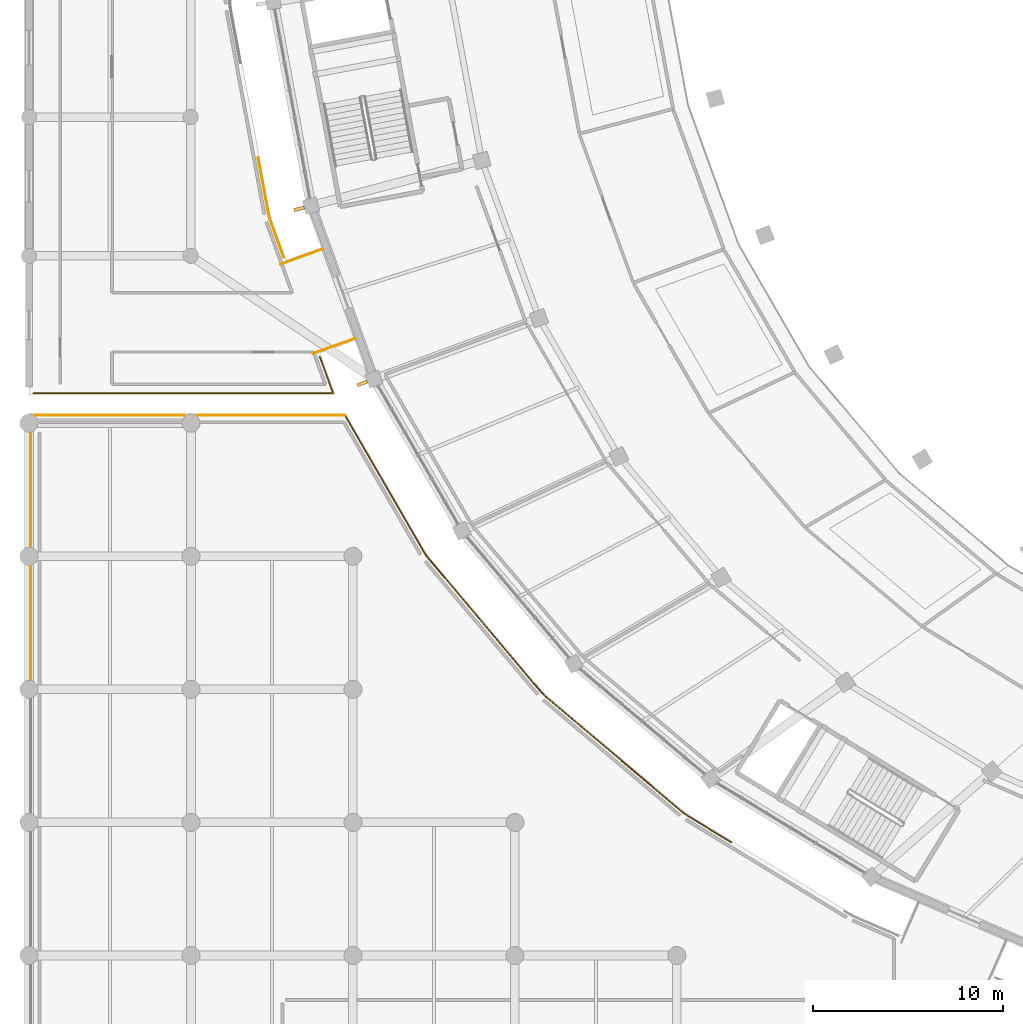
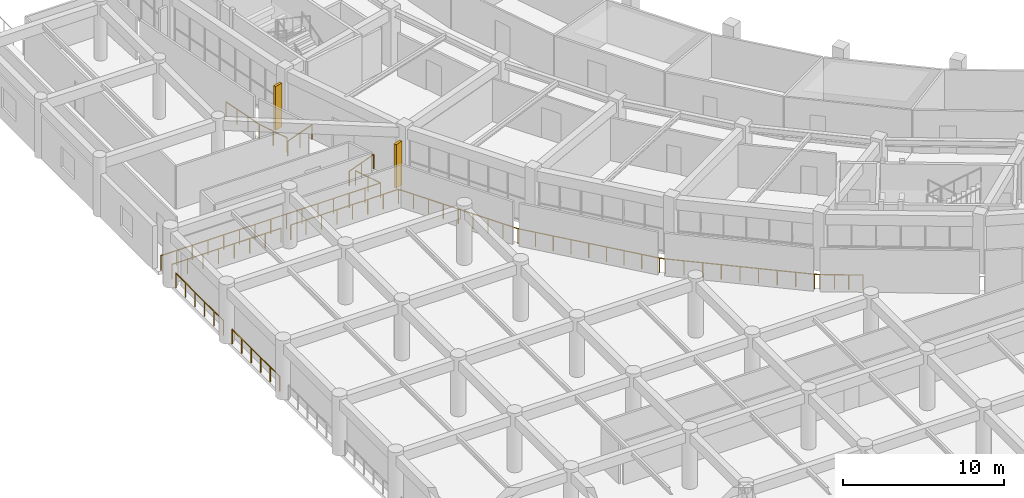
# One storey, part 115 of 141: 9 railings, 2 shading devices.
"""IFC4 building model written with IfcOpenShell, lengths in metres."""

from ifc_helpers import new_model, si_unit, direction, frame, origin, origin_2d, place, context, subcontext, project, spatial, rectangle, circle, extrude, material, type_object, element, save


model = new_model("IFC4")

# Units and contexts
model_context = context("Model", 3, precision=1e-05, world=origin(), true_north=direction((0.0, 1.0)))
body_context = subcontext(model_context, "Body", "Model", "MODEL_VIEW")
ifc_project = project(units=[si_unit("LENGTHUNIT", "METRE"), si_unit("AREAUNIT", "SQUARE_METRE"), si_unit("VOLUMEUNIT", "CUBIC_METRE"), si_unit("PLANEANGLEUNIT", "RADIAN"), si_unit("MASSUNIT", "GRAM", prefix="KILO")], contexts=[model_context])

# Site, building, storey
site_placement = place(None, origin())
site = spatial("IfcSite", under=ifc_project, at=site_placement, CompositionType="ELEMENT")
building_placement = place(site_placement, origin())
building = spatial("IfcBuilding", under=site, at=building_placement, Name="Mphavela Belvedere Stadium", CompositionType="ELEMENT")
storey_placement = place(building_placement, frame((0.0, 0.0, 14.699951171875)))
storey = spatial("IfcBuildingStorey", under=building, at=storey_placement, Name="L03", CompositionType="ELEMENT", Elevation=14.699951171875)

# Railings
ifc_material_1 = material(Name="Bronze and laminated glass stadium balustrade", Category="glass")
railing_type = type_object("IfcRailingType", Name="RAL-BALUSTRADE-1120", PredefinedType="BALUSTRADE", material=ifc_material_1)
railing_1_placement = place(storey_placement, frame((15.44921875, 58.159423828125, 0.0)))
element("IfcRailing", 1, at=railing_1_placement, inside=storey, type_object=railing_type, Name="Colonnade link bridge balustrade L03-27A", PredefinedType="BALUSTRADE", context=body_context, shape_type="SweptSolid", body=[
    extrude(circle(Radius=0.02392578125, at=origin_2d()), frame((0.0, 0.0, 1.09619140625), z_axis=(-0.940078218368, -0.340958858734, 0.0), x_axis=(0.340958858734, -0.940078218368, 0.0)), (0.0, 0.0, 1.0), 2.35009765625),
    extrude(circle(Radius=0.02099609375, at=origin_2d()), origin(), (0.0, 0.0, 1.0), 1.072021484375),
    extrude(circle(Radius=0.02099609375, at=origin_2d()), frame((-1.1044921875, -0.400634765625, 0.0)), (0.0, 0.0, 1.0), 1.072021484375),
    extrude(circle(Radius=0.02099609375, at=origin_2d()), frame((-2.209228515625, -0.80126953125, 0.0)), (0.0, 0.0, 1.0), 1.072021484375),
])
railing_2_placement = place(storey_placement, frame((17.154296875, 53.459228515625, 0.0)))
element("IfcRailing", 2, at=railing_2_placement, inside=storey, type_object=railing_type, Name="Colonnade link bridge balustrade L03-27B", PredefinedType="BALUSTRADE", context=body_context, shape_type="SweptSolid", body=[
    extrude(circle(Radius=0.02392578125, at=origin_2d()), frame((0.0, 0.0, 1.09619140625), z_axis=(-0.940044916205, -0.341050664151, 0.0), x_axis=(0.341050664151, -0.940044916205, 0.0)), (0.0, 0.0, 1.0), 2.35009765625),
    extrude(circle(Radius=0.02099609375, at=origin_2d()), origin(), (0.0, 0.0, 1.0), 1.072021484375),
    extrude(circle(Radius=0.02099609375, at=origin_2d()), frame((-1.1044921875, -0.40087890625, 0.0)), (0.0, 0.0, 1.0), 1.072021484375),
    extrude(circle(Radius=0.02099609375, at=origin_2d()), frame((-2.209228515625, -0.801513671875, 0.0)), (0.0, 0.0, 1.0), 1.072021484375),
])
railing_3_placement = place(storey_placement, frame((16.607421875, 49.419921875, 0.0)))
element("IfcRailing", 3, at=railing_3_placement, inside=storey, type_object=railing_type, Name="Peristyle wing gallery edge balustrade L03-01", PredefinedType="BALUSTRADE", context=body_context, shape_type="SweptSolid", body=[
    extrude(circle(Radius=0.02392578125, at=origin_2d()), frame((0.0, 0.0, 1.09619140625), z_axis=(0.501496666229, -0.86515957705, 0.0), x_axis=(0.86515957705, 0.501496666229, 0.0)), (0.0, 0.0, 1.0), 8.548095703125),
    extrude(circle(Radius=0.02392578125, at=origin_2d()), frame((4.286865234375, -7.3955078125, 1.09619140625), z_axis=(0.644472492073, -0.764627495557, 0.0), x_axis=(0.764627495557, 0.644472492073, 0.0)), (0.0, 0.0, 1.0), 9.352783203125),
    extrude(circle(Radius=0.02392578125, at=origin_2d()), frame((10.314453125, -14.546875, 1.09619140625), z_axis=(0.707747566275, -0.706465414887, 0.0), x_axis=(0.706465414887, 0.707747566275, 0.0)), (0.0, 0.0, 1.0), 0.380859375),
    extrude(circle(Radius=0.02392578125, at=origin_2d()), frame((10.583984375, -14.81591796875, 1.09619140625), z_axis=(0.764260284561, -0.644907913924, 0.0), x_axis=(0.644907913924, 0.764260284561, 0.0)), (0.0, 0.0, 1.0), 9.4013671875),
    extrude(circle(Radius=0.02392578125, at=origin_2d()), frame((17.76904296875, -20.87890625, 1.09619140625), z_axis=(0.81202574752, -0.583621611462, 0.0), x_axis=(0.583621611462, 0.81202574752, 0.0)), (0.0, 0.0, 1.0), 0.348388671875),
    extrude(circle(Radius=0.02392578125, at=origin_2d()), frame((18.052001953125, -21.082275390625, 1.09619140625), z_axis=(0.854337692863, -0.519718295381, 0.0), x_axis=(0.519718295381, 0.854337692863, 0.0)), (0.0, 0.0, 1.0), 2.67626953125),
    extrude(circle(Radius=0.02099609375, at=origin_2d()), origin(), (0.0, 0.0, 1.0), 1.072021484375),
    extrude(circle(Radius=0.02099609375, at=origin_2d()), frame((0.535888671875, -0.92431640625, 0.0)), (0.0, 0.0, 1.0), 1.072021484375),
    extrude(circle(Radius=0.02099609375, at=origin_2d()), frame((1.07177734375, -1.848876953125, 0.0)), (0.0, 0.0, 1.0), 1.072021484375),
    extrude(circle(Radius=0.02099609375, at=origin_2d()), frame((1.607666015625, -2.7734375, 0.0)), (0.0, 0.0, 1.0), 1.072021484375),
    extrude(circle(Radius=0.02099609375, at=origin_2d()), frame((2.1435546875, -3.69775390625, 0.0)), (0.0, 0.0, 1.0), 1.072021484375),
    extrude(circle(Radius=0.02099609375, at=origin_2d()), frame((2.67919921875, -4.6220703125, 0.0)), (0.0, 0.0, 1.0), 1.072021484375),
    extrude(circle(Radius=0.02099609375, at=origin_2d()), frame((3.215087890625, -5.546630859375, 0.0)), (0.0, 0.0, 1.0), 1.072021484375),
    extrude(circle(Radius=0.02099609375, at=origin_2d()), frame((3.7509765625, -6.47119140625, 0.0)), (0.0, 0.0, 1.0), 1.072021484375),
    extrude(circle(Radius=0.02099609375, at=origin_2d()), frame((4.286865234375, -7.3955078125, 0.0)), (0.0, 0.0, 1.0), 1.072021484375),
    extrude(circle(Radius=0.02099609375, at=origin_2d()), frame((5.040283203125, -8.28955078125, 0.0)), (0.0, 0.0, 1.0), 1.072021484375),
    extrude(circle(Radius=0.02099609375, at=origin_2d()), frame((5.793701171875, -9.183349609375, 0.0)), (0.0, 0.0, 1.0), 1.072021484375),
    extrude(circle(Radius=0.02099609375, at=origin_2d()), frame((6.547119140625, -10.0771484375, 0.0)), (0.0, 0.0, 1.0), 1.072021484375),
    extrude(circle(Radius=0.02099609375, at=origin_2d()), frame((7.30078125, -10.97119140625, 0.0)), (0.0, 0.0, 1.0), 1.072021484375),
    extrude(circle(Radius=0.02099609375, at=origin_2d()), frame((8.05419921875, -11.865234375, 0.0)), (0.0, 0.0, 1.0), 1.072021484375),
    extrude(circle(Radius=0.02099609375, at=origin_2d()), frame((8.8076171875, -12.759033203125, 0.0)), (0.0, 0.0, 1.0), 1.072021484375),
    extrude(circle(Radius=0.02099609375, at=origin_2d()), frame((9.56103515625, -13.65283203125, 0.0)), (0.0, 0.0, 1.0), 1.072021484375),
    extrude(circle(Radius=0.02099609375, at=origin_2d()), frame((10.314453125, -14.546875, 0.0)), (0.0, 0.0, 1.0), 1.072021484375),
    extrude(circle(Radius=0.02099609375, at=origin_2d()), frame((10.583984375, -14.81591796875, 0.0)), (0.0, 0.0, 1.0), 1.072021484375),
    extrude(circle(Radius=0.02099609375, at=origin_2d()), frame((11.482177734375, -15.57373046875, 0.0)), (0.0, 0.0, 1.0), 1.072021484375),
    extrude(circle(Radius=0.02099609375, at=origin_2d()), frame((12.38037109375, -16.33154296875, 0.0)), (0.0, 0.0, 1.0), 1.072021484375),
    extrude(circle(Radius=0.02099609375, at=origin_2d()), frame((13.2783203125, -17.089599609375, 0.0)), (0.0, 0.0, 1.0), 1.072021484375),
    extrude(circle(Radius=0.02099609375, at=origin_2d()), frame((14.176513671875, -17.847412109375, 0.0)), (0.0, 0.0, 1.0), 1.072021484375),
    extrude(circle(Radius=0.02099609375, at=origin_2d()), frame((15.07470703125, -18.605224609375, 0.0)), (0.0, 0.0, 1.0), 1.072021484375),
    extrude(circle(Radius=0.02099609375, at=origin_2d()), frame((15.97265625, -19.36328125, 0.0)), (0.0, 0.0, 1.0), 1.072021484375),
    extrude(circle(Radius=0.02099609375, at=origin_2d()), frame((16.870849609375, -20.12109375, 0.0)), (0.0, 0.0, 1.0), 1.072021484375),
    extrude(circle(Radius=0.02099609375, at=origin_2d()), frame((17.76904296875, -20.87890625, 0.0)), (0.0, 0.0, 1.0), 1.072021484375),
    extrude(circle(Radius=0.02099609375, at=origin_2d()), frame((18.052001953125, -21.082275390625, 0.0)), (0.0, 0.0, 1.0), 1.072021484375),
    extrude(circle(Radius=0.02099609375, at=origin_2d()), frame((18.814208984375, -21.5458984375, 0.0)), (0.0, 0.0, 1.0), 1.072021484375),
    extrude(circle(Radius=0.02099609375, at=origin_2d()), frame((19.576171875, -22.009521484375, 0.0)), (0.0, 0.0, 1.0), 1.072021484375),
    extrude(circle(Radius=0.02099609375, at=origin_2d()), frame((20.33837890625, -22.47314453125, 0.0)), (0.0, 0.0, 1.0), 1.072021484375),
])
for number, where, name in (
    (4, (0.080078125, 35.54345703125, 0.0), "Peristyle wing gallery edge balustrade L03-21"),
    (5, (0.080078125, 42.54345703125, 0.0), "Peristyle wing gallery edge balustrade L03-22"),
):
    element("IfcRailing", number, at=place(storey_placement, frame(where)), inside=storey, type_object=railing_type, Name=name, PredefinedType="BALUSTRADE", context=body_context, shape_type="SweptSolid", body=[
        extrude(circle(Radius=0.02392578125, at=origin_2d()), frame((0.0, 0.0, 1.09619140625), z_axis=(0.0, 1.0, 0.0), x_axis=(-1.0, 0.0, 0.0)), (0.0, 0.0, 1.0), 5.9130859375),
        extrude(circle(Radius=0.02099609375, at=origin_2d()), origin(), (0.0, 0.0, 1.0), 1.072021484375),
        extrude(circle(Radius=0.02099609375, at=origin_2d()), frame((0.0, 1.1826171875, 0.0)), (0.0, 0.0, 1.0), 1.072021484375),
        extrude(circle(Radius=0.02099609375, at=origin_2d()), frame((0.0, 2.365234375, 0.0)), (0.0, 0.0, 1.0), 1.072021484375),
        extrude(circle(Radius=0.02099609375, at=origin_2d()), frame((0.0, 3.5478515625, 0.0)), (0.0, 0.0, 1.0), 1.072021484375),
        extrude(circle(Radius=0.02099609375, at=origin_2d()), frame((0.0, 4.73046875, 0.0)), (0.0, 0.0, 1.0), 1.072021484375),
        extrude(circle(Radius=0.02099609375, at=origin_2d()), frame((0.0, 5.9130859375, 0.0)), (0.0, 0.0, 1.0), 1.072021484375),
    ])
railing_4_placement = place(storey_placement, frame((0.3544921875, 49.419921875, 0.0)))
element("IfcRailing", 6, at=railing_4_placement, inside=storey, type_object=railing_type, Name="Peristyle wing gallery edge balustrade L03-23", PredefinedType="BALUSTRADE", context=body_context, shape_type="SweptSolid", body=[
    extrude(circle(Radius=0.02392578125, at=origin_2d()), frame((0.0, 0.0, 1.09619140625), z_axis=(1.0, 0.0, 0.0), x_axis=(0.0, 1.0, 0.0)), (0.0, 0.0, 1.0), 7.809814453125),
    extrude(circle(Radius=0.02099609375, at=origin_2d()), origin(), (0.0, 0.0, 1.0), 1.072021484375),
    extrude(circle(Radius=0.02099609375, at=origin_2d()), frame((1.11572265625, 0.0, 0.0)), (0.0, 0.0, 1.0), 1.072021484375),
    extrude(circle(Radius=0.02099609375, at=origin_2d()), frame((2.2314453125, 0.0, 0.0)), (0.0, 0.0, 1.0), 1.072021484375),
    extrude(circle(Radius=0.02099609375, at=origin_2d()), frame((3.34716796875, 0.0, 0.0)), (0.0, 0.0, 1.0), 1.072021484375),
    extrude(circle(Radius=0.02099609375, at=origin_2d()), frame((4.462646484375, 0.0, 0.0)), (0.0, 0.0, 1.0), 1.072021484375),
    extrude(circle(Radius=0.02099609375, at=origin_2d()), frame((5.578369140625, 0.0, 0.0)), (0.0, 0.0, 1.0), 1.072021484375),
    extrude(circle(Radius=0.02099609375, at=origin_2d()), frame((6.694091796875, 0.0, 0.0)), (0.0, 0.0, 1.0), 1.072021484375),
    extrude(circle(Radius=0.02099609375, at=origin_2d()), frame((7.809814453125, 0.0, 0.0)), (0.0, 0.0, 1.0), 1.072021484375),
])
railing_5_placement = place(storey_placement, frame((8.87353515625, 49.419921875, 0.0)))
element("IfcRailing", 7, at=railing_5_placement, inside=storey, type_object=railing_type, Name="Peristyle wing gallery edge balustrade L03-24", PredefinedType="BALUSTRADE", context=body_context, shape_type="SweptSolid", body=[
    extrude(circle(Radius=0.02392578125, at=origin_2d()), frame((0.0, 0.0, 1.09619140625), z_axis=(1.0, 0.0, 0.0), x_axis=(0.0, 1.0, 0.0)), (0.0, 0.0, 1.0), 7.73388671875),
    extrude(circle(Radius=0.02099609375, at=origin_2d()), origin(), (0.0, 0.0, 1.0), 1.072021484375),
    extrude(circle(Radius=0.02099609375, at=origin_2d()), frame((1.104736328125, 0.0, 0.0)), (0.0, 0.0, 1.0), 1.072021484375),
    extrude(circle(Radius=0.02099609375, at=origin_2d()), frame((2.209716796875, 0.0, 0.0)), (0.0, 0.0, 1.0), 1.072021484375),
    extrude(circle(Radius=0.02099609375, at=origin_2d()), frame((3.314453125, 0.0, 0.0)), (0.0, 0.0, 1.0), 1.072021484375),
    extrude(circle(Radius=0.02099609375, at=origin_2d()), frame((4.41943359375, 0.0, 0.0)), (0.0, 0.0, 1.0), 1.072021484375),
    extrude(circle(Radius=0.02099609375, at=origin_2d()), frame((5.524169921875, 0.0, 0.0)), (0.0, 0.0, 1.0), 1.072021484375),
    extrude(circle(Radius=0.02099609375, at=origin_2d()), frame((6.629150390625, 0.0, 0.0)), (0.0, 0.0, 1.0), 1.072021484375),
    extrude(circle(Radius=0.02099609375, at=origin_2d()), frame((7.73388671875, 0.0, 0.0)), (0.0, 0.0, 1.0), 1.072021484375),
])
railing_6_placement = place(storey_placement, frame((12.0458984375, 62.970947265625, 0.0)))
element("IfcRailing", 8, at=railing_6_placement, inside=storey, type_object=railing_type, Name="Peristyle wing gallery edge balustrade L03-57", PredefinedType="BALUSTRADE", context=body_context, shape_type="SweptSolid", body=[
    extrude(circle(Radius=0.02392578125, at=origin_2d()), frame((0.0, 0.0, 1.09619140625), z_axis=(0.184941248651, -0.982749578757, 0.0), x_axis=(0.982749578757, 0.184941248651, 0.0)), (0.0, 0.0, 1.0), 3.18408203125),
    extrude(circle(Radius=0.02392578125, at=origin_2d()), frame((0.5888671875, -3.129150390625, 1.09619140625), z_axis=(0.337621951524, -0.941281795133, 0.0), x_axis=(0.941281795133, 0.337621951524, 0.0)), (0.0, 0.0, 1.0), 2.26123046875),
    extrude(circle(Radius=0.02099609375, at=origin_2d()), origin(), (0.0, 0.0, 1.0), 1.072021484375),
    extrude(circle(Radius=0.02099609375, at=origin_2d()), frame((0.1962890625, -1.04296875, 0.0)), (0.0, 0.0, 1.0), 1.072021484375),
    extrude(circle(Radius=0.02099609375, at=origin_2d()), frame((0.392578125, -2.086181640625, 0.0)), (0.0, 0.0, 1.0), 1.072021484375),
    extrude(circle(Radius=0.02099609375, at=origin_2d()), frame((0.5888671875, -3.129150390625, 0.0)), (0.0, 0.0, 1.0), 1.072021484375),
    extrude(circle(Radius=0.02099609375, at=origin_2d()), frame((0.970703125, -4.193359375, 0.0)), (0.0, 0.0, 1.0), 1.072021484375),
    extrude(circle(Radius=0.02099609375, at=origin_2d()), frame((1.352294921875, -5.257568359375, 0.0)), (0.0, 0.0, 1.0), 1.072021484375),
])
railing_7_placement = place(storey_placement, frame((15.294677734375, 52.48681640625, 0.0)))
element("IfcRailing", 9, at=railing_7_placement, inside=storey, type_object=railing_type, Name="Peristyle wing gallery edge balustrade L03-58", PredefinedType="BALUSTRADE", context=body_context, shape_type="SweptSolid", body=[
    extrude(circle(Radius=0.02392578125, at=origin_2d()), frame((0.0, 0.0, 1.09619140625), z_axis=(0.342380499121, -0.939561383743, 0.0), x_axis=(0.939561383743, 0.342380499121, 0.0)), (0.0, 0.0, 1.0), 2.029296875),
    extrude(circle(Radius=0.02392578125, at=origin_2d()), frame((0.69482421875, -1.90673828125, 1.09619140625), z_axis=(-1.0, 0.0, 0.0), x_axis=(0.0, -1.0, 0.0)), (0.0, 0.0, 1.0), 15.756103515625),
    extrude(circle(Radius=0.02099609375, at=origin_2d()), origin(), (0.0, 0.0, 1.0), 1.072021484375),
    extrude(circle(Radius=0.02099609375, at=origin_2d()), frame((0.347412109375, -0.953369140625, 0.0)), (0.0, 0.0, 1.0), 1.072021484375),
    extrude(circle(Radius=0.02099609375, at=origin_2d()), frame((0.69482421875, -1.90673828125, 0.0)), (0.0, 0.0, 1.0), 1.072021484375),
    extrude(circle(Radius=0.02099609375, at=origin_2d()), frame((-0.4306640625, -1.90673828125, 0.0)), (0.0, 0.0, 1.0), 1.072021484375),
    extrude(circle(Radius=0.02099609375, at=origin_2d()), frame((-1.55615234375, -1.90673828125, 0.0)), (0.0, 0.0, 1.0), 1.072021484375),
    extrude(circle(Radius=0.02099609375, at=origin_2d()), frame((-2.681396484375, -1.90673828125, 0.0)), (0.0, 0.0, 1.0), 1.072021484375),
    extrude(circle(Radius=0.02099609375, at=origin_2d()), frame((-3.806884765625, -1.90673828125, 0.0)), (0.0, 0.0, 1.0), 1.072021484375),
    extrude(circle(Radius=0.02099609375, at=origin_2d()), frame((-4.932373046875, -1.90673828125, 0.0)), (0.0, 0.0, 1.0), 1.072021484375),
    extrude(circle(Radius=0.02099609375, at=origin_2d()), frame((-6.057861328125, -1.90673828125, 0.0)), (0.0, 0.0, 1.0), 1.072021484375),
    extrude(circle(Radius=0.02099609375, at=origin_2d()), frame((-7.18310546875, -1.90673828125, 0.0)), (0.0, 0.0, 1.0), 1.072021484375),
    extrude(circle(Radius=0.02099609375, at=origin_2d()), frame((-8.30859375, -1.90673828125, 0.0)), (0.0, 0.0, 1.0), 1.072021484375),
    extrude(circle(Radius=0.02099609375, at=origin_2d()), frame((-9.43408203125, -1.90673828125, 0.0)), (0.0, 0.0, 1.0), 1.072021484375),
    extrude(circle(Radius=0.02099609375, at=origin_2d()), frame((-10.5595703125, -1.90673828125, 0.0)), (0.0, 0.0, 1.0), 1.072021484375),
    extrude(circle(Radius=0.02099609375, at=origin_2d()), frame((-11.68505859375, -1.90673828125, 0.0)), (0.0, 0.0, 1.0), 1.072021484375),
    extrude(circle(Radius=0.02099609375, at=origin_2d()), frame((-12.810302734375, -1.90673828125, 0.0)), (0.0, 0.0, 1.0), 1.072021484375),
    extrude(circle(Radius=0.02099609375, at=origin_2d()), frame((-13.935791015625, -1.90673828125, 0.0)), (0.0, 0.0, 1.0), 1.072021484375),
    extrude(circle(Radius=0.02099609375, at=origin_2d()), frame((-15.061279296875, -1.90673828125, 0.0)), (0.0, 0.0, 1.0), 1.072021484375),
])

# Shading devices
ifc_material_2 = material(Name="Honed limestone and bronze vertical brise-soleil fin", Category="masonry")
shading_device_type = type_object("IfcShadingDeviceType", Name="SHD-SOLAR-FIN", PredefinedType="USERDEFINED", material=ifc_material_2)
for number, where, z_axis, x_axis, name in (
    (10, (14.208984375, 60.271484375, 0.0), (0.0, 0.0, 1.0), (-0.966600102017, -0.256289373133, 0.0), "Classical vertical solar brise-soleil fin L03-27"),
    (11, (17.535888671875, 51.09375, 0.0), (0.0, 0.0, 1.0), (-0.938372433776, -0.34562577382, 0.0), "Classical vertical solar brise-soleil fin L03-28"),
):
    element("IfcShadingDevice", number, at=place(storey_placement, frame(where, z_axis=z_axis, x_axis=x_axis)), inside=storey, type_object=shading_device_type, Name=name, ObjectType="SOLAR FIN", PredefinedType="USERDEFINED", context=body_context, shape_type="SweptSolid", body=[
        extrude(rectangle(XDim=0.550048828125, YDim=0.179931640625, at=origin_2d()), origin(), (0.0, 0.0, 1.0), 3.320068359375),
    ])

save(model, "model.ifc")
